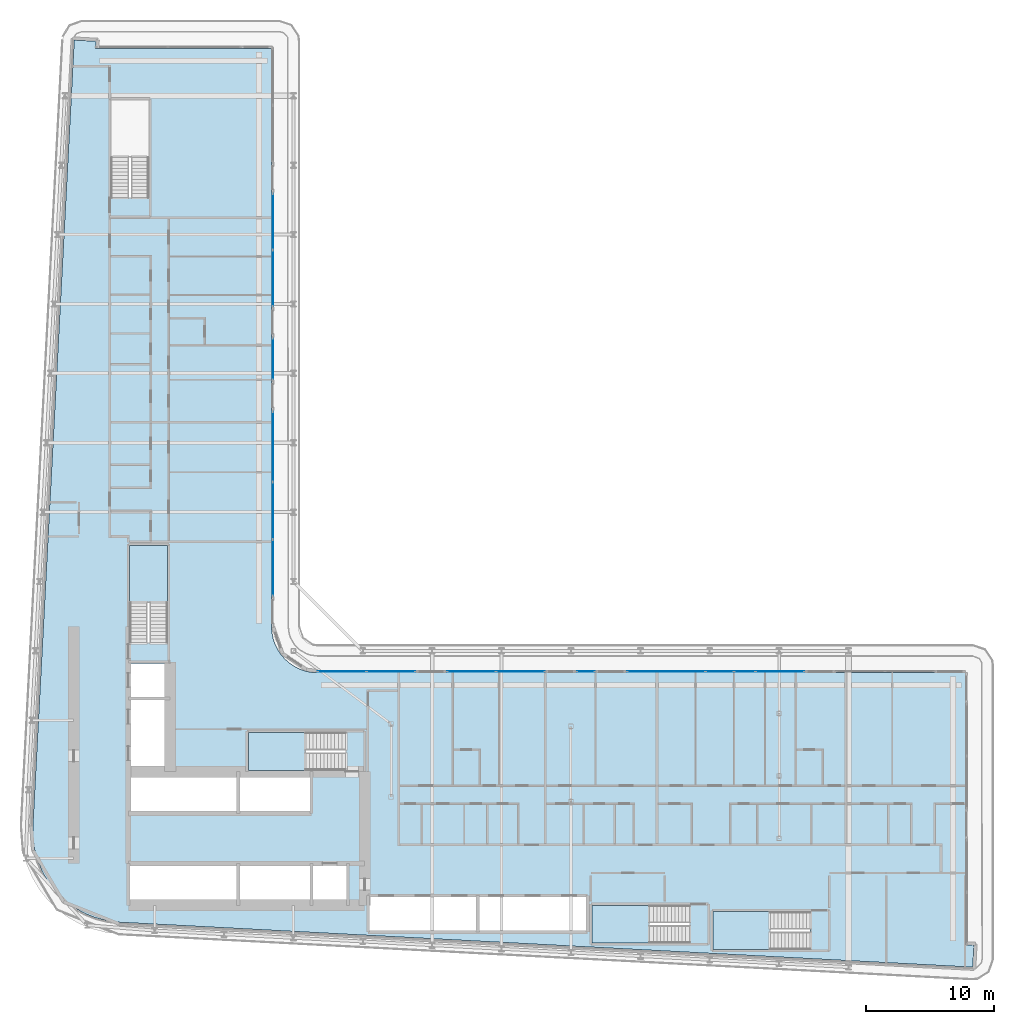
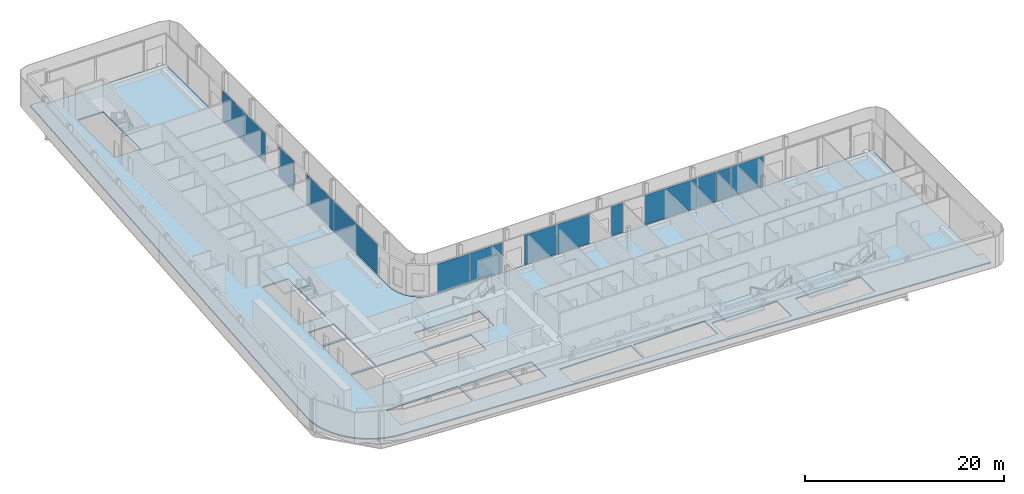
# One storey, part 10 of 25: 15 plates, 5 slabs, 13 elements without a shape of their own.
"""IFC4 building model written with IfcOpenShell, lengths in metres."""

from ifc_helpers import new_model, si_unit, direction, frame, origin, origin_2d, place, context, subcontext, project, spatial, polyline, rectangle, outline, extrude, material, layer, layer_set, type_object, element, aggregate, save


model = new_model("IFC4")

# Units and contexts
model_context = context("Model", 3, precision=1e-05, world=origin(), true_north=direction((0.0, 1.0)))
body_context = subcontext(model_context, "Body", "Model", "MODEL_VIEW")
ifc_project = project(units=[si_unit("LENGTHUNIT", "METRE"), si_unit("AREAUNIT", "SQUARE_METRE"), si_unit("VOLUMEUNIT", "CUBIC_METRE"), si_unit("PLANEANGLEUNIT", "RADIAN"), si_unit("MASSUNIT", "GRAM", prefix="KILO")], contexts=[model_context])

# Site, building, storey
site_placement = place(None, origin())
site = spatial("IfcSite", under=ifc_project, at=site_placement, CompositionType="ELEMENT")
building_placement = place(site_placement, origin())
building = spatial("IfcBuilding", under=site, at=building_placement, Name="Kheshtan School and Residences Tower", CompositionType="ELEMENT")
storey_placement = place(building_placement, frame((0.0, 0.0, 109.699951171875)))
storey = spatial("IfcBuildingStorey", under=building, at=storey_placement, Name="L25", CompositionType="ELEMENT", Elevation=109.699951171875)

# Curtain wall, plates
ifc_material_1 = material(Name="Clear low-e glass in thermally broken aluminium frame", Category="aluminium")
ifc_layer_1 = layer(ifc_material_1, 0.199951171875)
ifc_layer_set_1 = layer_set([ifc_layer_1], Name="Curtain wall CW-L")
curtain_wall_type = type_object("IfcCurtainWallType", Name="Curtain wall CW-L", PredefinedType="NOTDEFINED", material=ifc_layer_set_1)
curtain_wall_1_placement = place(storey_placement, origin())
curtain_wall_1 = element("IfcCurtainWall", 1, at=curtain_wall_1_placement, inside=storey, type_object=curtain_wall_type, Name="Curtain wall CWL4e", PredefinedType="NOTDEFINED")
ifc_layer_2 = layer(ifc_material_1, 0.031982421875)
ifc_layer_set_2 = layer_set([ifc_layer_2], Name="CW-L glass panel")
plate_type = type_object("IfcPlateType", Name="CW-L glass panel", PredefinedType="CURTAIN_PANEL", material=ifc_layer_set_2)
plate_1_placement = place(storey_placement, frame((46.0, 79.000732421875, 0.0), z_axis=(0.0, 0.0, 1.0), x_axis=(0.0, -1.0, 0.0)))
plate_1 = element("IfcPlate", 2, at=plate_1_placement, type_object=plate_type, Name="CWL4e panel 1.1", PredefinedType="CURTAIN_PANEL", context=body_context, shape_type="SweptSolid", body=[
    extrude(rectangle(XDim=4.34375, YDim=0.031982421875, at=origin_2d()), origin(), (0.0, 0.0, 1.0), 3.6298828125),
])
plate_2_placement = place(storey_placement, frame((46.0, 74.596923828125, 0.0), z_axis=(0.0, 0.0, 1.0), x_axis=(0.0, -1.0, 0.0)))
plate_2 = element("IfcPlate", 3, at=plate_2_placement, type_object=plate_type, Name="CWL4e panel 2.1", PredefinedType="CURTAIN_PANEL", context=body_context, shape_type="SweptSolid", body=[
    extrude(rectangle(XDim=4.34375, YDim=0.031982421875, at=origin_2d()), origin(), (0.0, 0.0, 1.0), 3.6298828125),
])
aggregate(curtain_wall_1, [plate_1, plate_2])

# Curtain wall, plate
curtain_wall_2_placement = place(storey_placement, origin())
curtain_wall_2 = element("IfcCurtainWall", 4, at=curtain_wall_2_placement, inside=storey, type_object=curtain_wall_type, Name="Curtain wall CWL4f", PredefinedType="NOTDEFINED")
plate_3_placement = place(storey_placement, frame((46.0, 68.31494140625, 0.0), z_axis=(0.0, 0.0, 1.0), x_axis=(0.0, -1.0, 0.0)))
plate_3 = element("IfcPlate", 5, at=plate_3_placement, type_object=plate_type, Name="CWL4f panel 1.1", PredefinedType="CURTAIN_PANEL", context=body_context, shape_type="SweptSolid", body=[
    extrude(rectangle(XDim=3.179931640625, YDim=0.031982421875, at=origin_2d()), origin(), (0.0, 0.0, 1.0), 3.6298828125),
])
aggregate(curtain_wall_2, [plate_3])

curtain_wall_3_placement = place(storey_placement, origin())
curtain_wall_3 = element("IfcCurtainWall", 6, at=curtain_wall_3_placement, inside=storey, type_object=curtain_wall_type, Name="Curtain wall CWL4g", PredefinedType="NOTDEFINED")
plate_4_placement = place(storey_placement, frame((46.0, 61.481201171875, 0.0), z_axis=(0.0, 0.0, 1.0), x_axis=(0.0, -1.0, 0.0)))
plate_4 = element("IfcPlate", 7, at=plate_4_placement, type_object=plate_type, Name="CWL4g panel 1.1", PredefinedType="CURTAIN_PANEL", context=body_context, shape_type="SweptSolid", body=[
    extrude(rectangle(XDim=5.447509765625, YDim=0.031982421875, at=origin_2d()), origin(), (0.0, 0.0, 1.0), 3.6298828125),
])
aggregate(curtain_wall_3, [plate_4])

# Curtain wall, plates
curtain_wall_4_placement = place(storey_placement, origin())
curtain_wall_4 = element("IfcCurtainWall", 8, at=curtain_wall_4_placement, inside=storey, type_object=curtain_wall_type, Name="Curtain wall CWL4b", PredefinedType="NOTDEFINED")
plate_5_placement = place(storey_placement, frame((46.0, 56.49560546875, 0.0), z_axis=(0.0, 0.0, 1.0), x_axis=(0.0, -1.0, 0.0)))
plate_5 = element("IfcPlate", 9, at=plate_5_placement, type_object=plate_type, Name="CWL4b panel 1.1", PredefinedType="CURTAIN_PANEL", context=body_context, shape_type="SweptSolid", body=[
    extrude(rectangle(XDim=4.40380859375, YDim=0.031982421875, at=origin_2d()), origin(), (0.0, 0.0, 1.0), 3.6298828125),
])
plate_6_placement = place(storey_placement, frame((46.0, 52.061767578125, 0.0), z_axis=(0.0, 0.0, 1.0), x_axis=(0.0, -1.0, 0.0)))
plate_6 = element("IfcPlate", 10, at=plate_6_placement, type_object=plate_type, Name="CWL4b panel 2.1", PredefinedType="CURTAIN_PANEL", context=body_context, shape_type="SweptSolid", body=[
    extrude(rectangle(XDim=4.34375, YDim=0.031982421875, at=origin_2d()), origin(), (0.0, 0.0, 1.0), 3.6298828125),
])
aggregate(curtain_wall_4, [plate_5, plate_6])

curtain_wall_5_placement = place(storey_placement, origin())
curtain_wall_5 = element("IfcCurtainWall", 11, at=curtain_wall_5_placement, inside=storey, type_object=curtain_wall_type, Name="Curtain wall CWL8", PredefinedType="NOTDEFINED")
plate_7_placement = place(storey_placement, frame((51.368408203125, 44.0, 0.0), z_axis=(0.0, 0.0, 1.0), x_axis=(1.0, 0.0, 0.0)))
plate_7 = element("IfcPlate", 12, at=plate_7_placement, type_object=plate_type, Name="CWL8 panel 1.1", PredefinedType="CURTAIN_PANEL", context=body_context, shape_type="SweptSolid", body=[
    extrude(rectangle(XDim=3.757080078125, YDim=0.031982421875, at=origin_2d()), origin(), (0.0, 0.0, 1.0), 3.6298828125),
])
plate_8_placement = place(storey_placement, frame((55.185546875, 44.0, 0.0), z_axis=(0.0, 0.0, 1.0), x_axis=(1.0, 0.0, 0.0)))
plate_8 = element("IfcPlate", 13, at=plate_8_placement, type_object=plate_type, Name="CWL8 panel 2.1", PredefinedType="CURTAIN_PANEL", context=body_context, shape_type="SweptSolid", body=[
    extrude(rectangle(XDim=3.757080078125, YDim=0.031982421875, at=origin_2d()), origin(), (0.0, 0.0, 1.0), 3.6298828125),
])
aggregate(curtain_wall_5, [plate_7, plate_8])

curtain_wall_6_placement = place(storey_placement, origin())
curtain_wall_6 = element("IfcCurtainWall", 14, at=curtain_wall_6_placement, inside=storey, type_object=curtain_wall_type, Name="Curtain wall CWL8", PredefinedType="NOTDEFINED")
plate_9_placement = place(storey_placement, frame((61.46240234375, 44.0, 0.0), z_axis=(0.0, 0.0, 1.0), x_axis=(1.0, 0.0, 0.0)))
plate_9 = element("IfcPlate", 15, at=plate_9_placement, type_object=plate_type, Name="CWL8 panel 1.1", PredefinedType="CURTAIN_PANEL", context=body_context, shape_type="SweptSolid", body=[
    extrude(rectangle(XDim=3.757080078125, YDim=0.031982421875, at=origin_2d()), origin(), (0.0, 0.0, 1.0), 3.6298828125),
])
plate_10_placement = place(storey_placement, frame((65.279541015625, 44.0, 0.0), z_axis=(0.0, 0.0, 1.0), x_axis=(1.0, 0.0, 0.0)))
plate_10 = element("IfcPlate", 16, at=plate_10_placement, type_object=plate_type, Name="CWL8 panel 2.1", PredefinedType="CURTAIN_PANEL", context=body_context, shape_type="SweptSolid", body=[
    extrude(rectangle(XDim=3.757080078125, YDim=0.031982421875, at=origin_2d()), origin(), (0.0, 0.0, 1.0), 3.6298828125),
])
aggregate(curtain_wall_6, [plate_9, plate_10])

# Curtain wall, plate
curtain_wall_7_placement = place(storey_placement, origin())
curtain_wall_7 = element("IfcCurtainWall", 17, at=curtain_wall_7_placement, inside=storey, type_object=curtain_wall_type, Name="Curtain wall CWL8a", PredefinedType="NOTDEFINED")
plate_11_placement = place(storey_placement, frame((70.367919921875, 44.0, 0.0), z_axis=(0.0, 0.0, 1.0), x_axis=(1.0, 0.0, 0.0)))
plate_11 = element("IfcPlate", 18, at=plate_11_placement, type_object=plate_type, Name="CWL8a panel 1.1", PredefinedType="CURTAIN_PANEL", context=body_context, shape_type="SweptSolid", body=[
    extrude(rectangle(XDim=1.3798828125, YDim=0.031982421875, at=origin_2d()), origin(), (0.0, 0.0, 1.0), 3.6298828125),
])
aggregate(curtain_wall_7, [plate_11])

curtain_wall_8_placement = place(storey_placement, origin())
curtain_wall_8 = element("IfcCurtainWall", 19, at=curtain_wall_8_placement, inside=storey, type_object=curtain_wall_type, Name="Curtain wall CWL8d", PredefinedType="NOTDEFINED")
plate_12_placement = place(storey_placement, frame((76.614990234375, 44.0, 0.0), z_axis=(0.0, 0.0, 1.0), x_axis=(1.0, 0.0, 0.0)))
plate_12 = element("IfcPlate", 20, at=plate_12_placement, type_object=plate_type, Name="CWL8d panel 1.1", PredefinedType="CURTAIN_PANEL", context=body_context, shape_type="SweptSolid", body=[
    extrude(rectangle(XDim=6.073974609375, YDim=0.031982421875, at=origin_2d()), origin(), (0.0, 0.0, 1.0), 3.6298828125),
])
aggregate(curtain_wall_8, [plate_12])

# Curtain wall, plates
curtain_wall_9_placement = place(storey_placement, origin())
curtain_wall_9 = element("IfcCurtainWall", 21, at=curtain_wall_9_placement, inside=storey, type_object=curtain_wall_type, Name="Curtain wall CWL8c", PredefinedType="NOTDEFINED")
plate_13_placement = place(storey_placement, frame((80.791015625, 44.0, 0.0), z_axis=(0.0, 0.0, 1.0), x_axis=(1.0, 0.0, 0.0)))
plate_13 = element("IfcPlate", 22, at=plate_13_placement, type_object=plate_type, Name="CWL8c panel 1.1", PredefinedType="CURTAIN_PANEL", context=body_context, shape_type="SweptSolid", body=[
    extrude(rectangle(XDim=2.157958984375, YDim=0.031982421875, at=origin_2d()), origin(), (0.0, 0.0, 1.0), 3.6298828125),
])
plate_14_placement = place(storey_placement, frame((82.7294921875, 44.0, 0.0), z_axis=(0.0, 0.0, 1.0), x_axis=(1.0, 0.0, 0.0)))
plate_14 = element("IfcPlate", 23, at=plate_14_placement, type_object=plate_type, Name="CWL8c panel 2.1", PredefinedType="CURTAIN_PANEL", context=body_context, shape_type="SweptSolid", body=[
    extrude(rectangle(XDim=1.59912109375, YDim=0.031982421875, at=origin_2d()), origin(), (0.0, 0.0, 1.0), 3.6298828125),
])
plate_15_placement = place(storey_placement, frame((85.467529296875, 44.0, 0.0), z_axis=(0.0, 0.0, 1.0), x_axis=(1.0, 0.0, 0.0)))
plate_15 = element("IfcPlate", 24, at=plate_15_placement, type_object=plate_type, Name="CWL8c panel 3.1", PredefinedType="CURTAIN_PANEL", context=body_context, shape_type="SweptSolid", body=[
    extrude(rectangle(XDim=3.757080078125, YDim=0.031982421875, at=origin_2d()), origin(), (0.0, 0.0, 1.0), 3.6298828125),
])
aggregate(curtain_wall_9, [plate_13, plate_14, plate_15])

# Slab
ifc_material_2 = material(Name="Concrete C40/50", Category="concrete")
ifc_layer_3 = layer(ifc_material_2, 0.14990234375)
ifc_layer_set_3 = layer_set([ifc_layer_3], Name="Floor slab 150 Concrete C40/50")
slab_type_1 = type_object("IfcSlabType", Name="Floor slab 150 Concrete C40/50", PredefinedType="FLOOR", material=ifc_layer_set_3)
slab_1_placement = place(storey_placement, frame((0.0, 0.0, -0.14990234375)))
element("IfcSlab", 25, at=slab_1_placement, inside=storey, type_object=slab_type_1, Name="Floor slab L25", PredefinedType="FLOOR", context=body_context, shape_type="SweptSolid", body=[
    extrude(outline(polyline([(27.718017578125, 29.200927734375), (27.466064453125, 30.093017578125), (27.466064453125, 30.093994140625), (27.3330078125, 31.013916015625), (27.320068359375, 31.965087890625), (27.320068359375, 31.970947265625), (30.5380859375, 93.10107421875), (30.5390625, 93.10791015625), (30.5419921875, 93.131103515625), (30.5419921875, 93.132080078125), (30.54296875, 93.132080078125), (31.137939453125, 93.10009765625), (31.138916015625, 93.10009765625), (31.138916015625, 93.09912109375), (31.138916015625, 93.094970703125), (31.138916015625, 93.093994140625), (31.139892578125, 93.093994140625), (31.139892578125, 93.093017578125), (31.14111328125, 93.093017578125), (31.14208984375, 93.093017578125), (31.14208984375, 93.093994140625), (31.14404296875, 93.095947265625), (31.14501953125, 93.096923828125), (31.14599609375, 93.097900390625), (31.14697265625, 93.097900390625), (31.14697265625, 93.09912109375), (31.14794921875, 93.09912109375), (31.14794921875, 93.10009765625), (31.14892578125, 93.10009765625), (31.152099609375, 93.10205078125), (31.155029296875, 93.10205078125), (31.156005859375, 93.10205078125), (31.156005859375, 93.10302734375), (31.156982421875, 93.10302734375), (31.162109375, 93.10302734375), (32.217041015625, 93.047119140625), (32.219970703125, 93.047119140625), (32.220947265625, 93.047119140625), (32.220947265625, 93.0458984375), (32.221923828125, 93.0458984375), (32.22607421875, 93.0458984375), (32.22607421875, 93.044921875), (32.22705078125, 93.044921875), (32.22705078125, 93.0439453125), (32.22802734375, 93.0439453125), (32.22802734375, 93.04296875), (32.22900390625, 93.04296875), (32.22998046875, 93.04296875), (32.22998046875, 93.0419921875), (32.23095703125, 93.0419921875), (32.23193359375, 93.0419921875), (32.23193359375, 93.041015625), (32.23388671875, 93.0390625), (32.235107421875, 93.0390625), (32.235107421875, 93.0380859375), (32.235107421875, 93.037109375), (32.236083984375, 93.037109375), (32.236083984375, 93.035888671875), (32.237060546875, 93.035888671875), (32.237060546875, 93.033935546875), (32.237060546875, 93.032958984375), (32.238037109375, 93.032958984375), (32.238037109375, 93.031982421875), (32.239013671875, 93.031982421875), (32.239013671875, 93.031005859375), (32.239013671875, 93.029052734375), (32.239013671875, 93.028076171875), (32.239990234375, 93.028076171875), (32.239990234375, 93.027099609375), (32.239990234375, 93.02197265625), (32.212890625, 92.52099609375), (32.212890625, 92.51806640625), (32.212890625, 92.51708984375), (32.2119140625, 92.51708984375), (32.2119140625, 92.51611328125), (32.2119140625, 92.511962890625), (32.2109375, 92.510009765625), (32.2099609375, 92.510009765625), (32.2099609375, 92.509033203125), (32.208984375, 92.509033203125), (32.208984375, 92.508056640625), (32.2080078125, 92.507080078125), (32.2060546875, 92.5048828125), (32.205078125, 92.50390625), (32.2041015625, 92.50390625), (32.2041015625, 92.5029296875), (32.2041015625, 92.501953125), (32.2041015625, 92.5009765625), (32.205078125, 92.5009765625), (32.205078125, 92.5), (32.2060546875, 92.5), (45.85498046875, 92.5), (45.860107421875, 92.4990234375), (45.864990234375, 92.498046875), (45.865966796875, 92.498046875), (45.868896484375, 92.49609375), (45.8740234375, 92.493896484375), (45.8779296875, 92.491943359375), (45.881103515625, 92.489990234375), (45.881103515625, 92.489013671875), (45.882080078125, 92.489013671875), (45.882080078125, 92.488037109375), (45.883056640625, 92.488037109375), (45.884033203125, 92.485107421875), (45.885009765625, 92.485107421875), (45.885009765625, 92.48388671875), (45.887939453125, 92.48291015625), (45.887939453125, 92.48193359375), (45.888916015625, 92.48193359375), (45.888916015625, 92.48095703125), (45.889892578125, 92.48095703125), (45.89208984375, 92.47802734375), (45.89404296875, 92.47412109375), (45.89599609375, 92.468994140625), (45.89794921875, 92.466064453125), (45.89794921875, 92.465087890625), (45.89892578125, 92.4599609375), (45.89990234375, 92.455078125), (45.89990234375, 47.429931640625), (45.927001953125, 47.030029296875), (46.01806640625, 46.570068359375), (46.01806640625, 46.569091796875), (46.169921875, 46.1201171875), (46.37890625, 45.697021484375), (46.638916015625, 45.30810546875), (46.949951171875, 44.950927734375), (46.950927734375, 44.949951171875), (47.30810546875, 44.638916015625), (47.697021484375, 44.37890625), (48.1201171875, 44.169921875), (48.569091796875, 44.01806640625), (48.570068359375, 44.01806640625), (49.030029296875, 43.927001953125), (49.429931640625, 43.89990234375), (99.85498046875, 43.89990234375), (99.864990234375, 43.89794921875), (99.865966796875, 43.89794921875), (99.868896484375, 43.89599609375), (99.8740234375, 43.89404296875), (99.8779296875, 43.89208984375), (99.881103515625, 43.889892578125), (99.881103515625, 43.888916015625), (99.882080078125, 43.888916015625), (99.882080078125, 43.887939453125), (99.883056640625, 43.887939453125), (99.884033203125, 43.885009765625), (99.885009765625, 43.885009765625), (99.885009765625, 43.884033203125), (99.887939453125, 43.883056640625), (99.887939453125, 43.882080078125), (99.888916015625, 43.882080078125), (99.888916015625, 43.881103515625), (99.889892578125, 43.881103515625), (99.89208984375, 43.8779296875), (99.89404296875, 43.8740234375), (99.89599609375, 43.868896484375), (99.89794921875, 43.865966796875), (99.89794921875, 43.864990234375), (99.89990234375, 43.85498046875), (99.89990234375, 22.708984375), (99.89990234375, 22.7080078125), (99.90087890625, 22.7080078125), (99.90087890625, 22.70703125), (99.902099609375, 22.70703125), (99.903076171875, 22.70703125), (99.903076171875, 22.7080078125), (99.905029296875, 22.7099609375), (99.906982421875, 22.7119140625), (99.907958984375, 22.7119140625), (99.907958984375, 22.712890625), (99.908935546875, 22.712890625), (99.908935546875, 22.714111328125), (99.909912109375, 22.714111328125), (99.912109375, 22.715087890625), (99.9130859375, 22.716064453125), (99.916015625, 22.716064453125), (99.9169921875, 22.716064453125), (99.9169921875, 22.717041015625), (99.91796875, 22.717041015625), (99.923095703125, 22.717041015625), (100.5380859375, 22.68408203125), (100.541015625, 22.68408203125), (100.5419921875, 22.68408203125), (100.5419921875, 22.68310546875), (100.54296875, 22.68310546875), (100.547119140625, 22.68310546875), (100.547119140625, 22.681884765625), (100.548095703125, 22.681884765625), (100.548095703125, 22.680908203125), (100.549072265625, 22.680908203125), (100.549072265625, 22.679931640625), (100.550048828125, 22.679931640625), (100.551025390625, 22.679931640625), (100.551025390625, 22.678955078125), (100.552001953125, 22.678955078125), (100.552978515625, 22.678955078125), (100.552978515625, 22.677978515625), (100.554931640625, 22.676025390625), (100.555908203125, 22.676025390625), (100.555908203125, 22.675048828125), (100.555908203125, 22.674072265625), (100.556884765625, 22.674072265625), (100.556884765625, 22.673095703125), (100.55810546875, 22.673095703125), (100.55810546875, 22.6708984375), (100.55810546875, 22.669921875), (100.55908203125, 22.669921875), (100.55908203125, 22.6689453125), (100.56005859375, 22.6689453125), (100.56005859375, 22.66796875), (100.56005859375, 22.666015625), (100.56005859375, 22.6650390625), (100.56103515625, 22.6650390625), (100.56103515625, 22.6640625), (100.56103515625, 22.658935546875), (100.5048828125, 21.60205078125), (100.5048828125, 21.59912109375), (100.5048828125, 21.597900390625), (100.50390625, 21.597900390625), (100.50390625, 21.596923828125), (100.50390625, 21.593017578125), (100.5029296875, 21.592041015625), (100.5029296875, 21.591064453125), (100.501953125, 21.591064453125), (100.501953125, 21.590087890625), (100.5009765625, 21.590087890625), (100.5009765625, 21.589111328125), (100.5, 21.587890625), (100.498046875, 21.5859375), (100.4970703125, 21.5849609375), (100.49609375, 21.5849609375), (100.49609375, 21.583984375), (100.49609375, 21.5830078125), (100.49609375, 21.58203125), (100.4970703125, 21.58203125), (100.4970703125, 21.5810546875), (100.498046875, 21.5810546875), (100.4990234375, 21.5810546875), (100.5, 21.5810546875), (100.5, 21.580078125), (100.468017578125, 20.985107421875), (100.468017578125, 20.98388671875), (100.467041015625, 20.98388671875), (100.443115234375, 20.98291015625), (100.43798828125, 20.98291015625), (34.056884765625, 24.47802734375), (33.114990234375, 24.590087890625), (32.215087890625, 24.819091796875), (32.214111328125, 24.819091796875), (31.35205078125, 25.1630859375), (30.541015625, 25.616943359375), (29.799072265625, 26.1708984375), (29.799072265625, 26.172119140625), (29.798095703125, 26.172119140625), (29.134033203125, 26.820068359375), (29.134033203125, 26.821044921875), (29.133056640625, 26.821044921875), (28.55908203125, 27.550048828125), (28.0849609375, 28.345947265625), (27.718017578125, 29.200927734375)]), holes=[polyline([(99.89990234375, 21.5869140625), (99.89990234375, 21.5830078125), (99.89990234375, 21.58203125), (99.90087890625, 21.58203125), (99.90087890625, 21.5810546875), (99.902099609375, 21.5810546875), (99.906005859375, 21.5810546875), (99.906982421875, 21.5810546875), (99.906982421875, 21.58203125), (99.907958984375, 21.58203125), (99.907958984375, 21.5830078125), (99.907958984375, 21.583984375), (99.906982421875, 21.583984375), (99.905029296875, 21.5859375), (99.904052734375, 21.5869140625), (99.903076171875, 21.587890625), (99.903076171875, 21.589111328125), (99.902099609375, 21.589111328125), (99.90087890625, 21.589111328125), (99.90087890625, 21.587890625), (99.89990234375, 21.587890625), (99.89990234375, 21.5869140625)]), polyline([(31.138916015625, 92.506103515625), (31.138916015625, 92.501953125), (31.138916015625, 92.5009765625), (31.139892578125, 92.5009765625), (31.139892578125, 92.5), (31.14111328125, 92.5), (31.14501953125, 92.5), (31.14599609375, 92.5), (31.14599609375, 92.5009765625), (31.14697265625, 92.5009765625), (31.14697265625, 92.501953125), (31.14697265625, 92.5029296875), (31.14599609375, 92.5029296875), (31.14501953125, 92.50390625), (31.14404296875, 92.5048828125), (31.14306640625, 92.506103515625), (31.14208984375, 92.507080078125), (31.14208984375, 92.508056640625), (31.14111328125, 92.508056640625), (31.139892578125, 92.508056640625), (31.139892578125, 92.507080078125), (31.138916015625, 92.507080078125), (31.138916015625, 92.506103515625)]), polyline([(34.875, 28.925048828125), (34.875, 25.925048828125), (43.175048828125, 25.925048828125), (43.175048828125, 28.925048828125), (34.875, 28.925048828125)]), polyline([(43.425048828125, 25.925048828125), (48.875, 25.925048828125), (48.875, 28.925048828125), (43.425048828125, 28.925048828125), (43.425048828125, 25.925048828125)]), polyline([(43.175048828125, 36.074951171875), (34.875, 36.074951171875), (34.875, 33.074951171875), (43.175048828125, 33.074951171875), (43.175048828125, 36.074951171875)]), polyline([(34.875, 41.77490234375), (34.875, 36.324951171875), (37.875, 36.324951171875), (37.875, 41.77490234375), (34.875, 41.77490234375)]), polyline([(34.875, 44.625), (34.875, 42.02490234375), (37.875, 42.02490234375), (37.875, 44.625), (34.875, 44.625)]), polyline([(37.800048828125, 46.25), (37.800048828125, 53.81005859375), (34.85009765625, 53.81005859375), (34.85009765625, 46.260009765625), (36.25, 46.260009765625), (36.25, 46.25), (37.800048828125, 46.25)]), polyline([(33.39990234375, 88.4599609375), (33.39990234375, 80.909912109375), (34.800048828125, 80.909912109375), (34.800048828125, 80.89990234375), (36.35009765625, 80.89990234375), (36.35009765625, 88.4599609375), (33.39990234375, 88.4599609375)]), polyline([(87.81005859375, 22.35009765625), (87.81005859375, 23.75), (87.820068359375, 23.75), (87.820068359375, 25.300048828125), (80.260009765625, 25.300048828125), (80.260009765625, 22.35009765625), (87.81005859375, 22.35009765625)]), polyline([(70.85009765625, 22.85009765625), (78.39990234375, 22.85009765625), (78.39990234375, 24.25), (78.409912109375, 24.25), (78.409912109375, 25.800048828125), (70.85009765625, 25.800048828125), (70.85009765625, 22.85009765625)]), polyline([(61.824951171875, 26.425048828125), (53.52490234375, 26.425048828125), (53.52490234375, 23.824951171875), (61.824951171875, 23.824951171875), (61.824951171875, 26.425048828125)]), polyline([(62.074951171875, 23.824951171875), (70.375, 23.824951171875), (70.375, 26.425048828125), (62.074951171875, 26.425048828125), (62.074951171875, 23.824951171875)]), polyline([(49.125, 28.925048828125), (49.125, 25.925048828125), (51.72509765625, 25.925048828125), (51.72509765625, 28.925048828125), (49.125, 28.925048828125)]), polyline([(43.425048828125, 33.074951171875), (48.875, 33.074951171875), (48.875, 36.074951171875), (43.425048828125, 36.074951171875), (43.425048828125, 33.074951171875)]), polyline([(51.64990234375, 39.25), (44.090087890625, 39.25), (44.090087890625, 36.300048828125), (51.639892578125, 36.300048828125), (51.639892578125, 37.699951171875), (51.64990234375, 37.699951171875), (51.64990234375, 39.25)])]), origin(), (0.0, 0.0, 1.0), 0.14990234375),
])

# Stair, slab
stair_type = type_object("IfcStairType", Name="Exit stair, half-turn", PredefinedType="HALF_TURN_STAIR", material=ifc_material_2)
stair_1_placement = place(storey_placement, origin())
stair_1 = element("IfcStair", 26, at=stair_1_placement, inside=storey, type_object=stair_type, Name="L25 Protected Exit Stair ST1", PredefinedType="HALF_TURN_STAIR")
ifc_layer_4 = layer(ifc_material_2, 0.199951171875)
ifc_layer_set_4 = layer_set([ifc_layer_4], Name="Stair landing 200 Concrete C40/50")
slab_type_2 = type_object("IfcSlabType", Name="Stair landing 200 Concrete C40/50", PredefinedType="LANDING", material=ifc_layer_set_4)
slab_2_placement = place(storey_placement, frame((0.0, 0.0, 1.75)))
slab_2 = element("IfcSlab", 27, at=slab_2_placement, type_object=slab_type_2, Name="ST1 landing 1", PredefinedType="LANDING", context=body_context, shape_type="SweptSolid", body=[
    extrude(outline(polyline([(48.570068359375, 39.25), (44.090087890625, 39.25), (44.090087890625, 36.300048828125), (48.570068359375, 36.300048828125), (48.570068359375, 39.25)])), origin(), (0.0, 0.0, 1.0), 0.199951171875),
])
aggregate(stair_1, [slab_2])

stair_2_placement = place(storey_placement, origin())
stair_2 = element("IfcStair", 28, at=stair_2_placement, inside=storey, type_object=stair_type, Name="L25 Protected Exit Stair ST2", PredefinedType="HALF_TURN_STAIR")
slab_3_placement = place(storey_placement, frame((0.0, 0.0, 1.75)))
slab_3 = element("IfcSlab", 29, at=slab_3_placement, type_object=slab_type_2, Name="ST2 landing 1", PredefinedType="LANDING", context=body_context, shape_type="SweptSolid", body=[
    extrude(outline(polyline([(37.800048828125, 49.330078125), (37.800048828125, 53.81005859375), (34.85009765625, 53.81005859375), (34.85009765625, 49.330078125), (37.800048828125, 49.330078125)])), origin(), (0.0, 0.0, 1.0), 0.199951171875),
])
aggregate(stair_2, [slab_3])

stair_3_placement = place(storey_placement, origin())
stair_3 = element("IfcStair", 30, at=stair_3_placement, inside=storey, type_object=stair_type, Name="L25 Protected Exit Stair ST4", PredefinedType="HALF_TURN_STAIR")
slab_4_placement = place(storey_placement, frame((0.0, 0.0, 1.75)))
slab_4 = element("IfcSlab", 31, at=slab_4_placement, type_object=slab_type_2, Name="ST4 landing 1", PredefinedType="LANDING", context=body_context, shape_type="SweptSolid", body=[
    extrude(outline(polyline([(84.739990234375, 25.300048828125), (80.260009765625, 25.300048828125), (80.260009765625, 22.35009765625), (84.739990234375, 22.35009765625), (84.739990234375, 25.300048828125)])), origin(), (0.0, 0.0, 1.0), 0.199951171875),
])
aggregate(stair_3, [slab_4])

stair_4_placement = place(storey_placement, origin())
stair_4 = element("IfcStair", 32, at=stair_4_placement, inside=storey, type_object=stair_type, Name="L25 Protected Exit Stair ST5", PredefinedType="HALF_TURN_STAIR")
slab_5_placement = place(storey_placement, frame((0.0, 0.0, 1.75)))
slab_5 = element("IfcSlab", 33, at=slab_5_placement, type_object=slab_type_2, Name="ST5 landing 1", PredefinedType="LANDING", context=body_context, shape_type="SweptSolid", body=[
    extrude(outline(polyline([(75.330078125, 25.800048828125), (70.85009765625, 25.800048828125), (70.85009765625, 22.85009765625), (75.330078125, 22.85009765625), (75.330078125, 25.800048828125)])), origin(), (0.0, 0.0, 1.0), 0.199951171875),
])
aggregate(stair_4, [slab_5])

save(model, "model.ifc")
